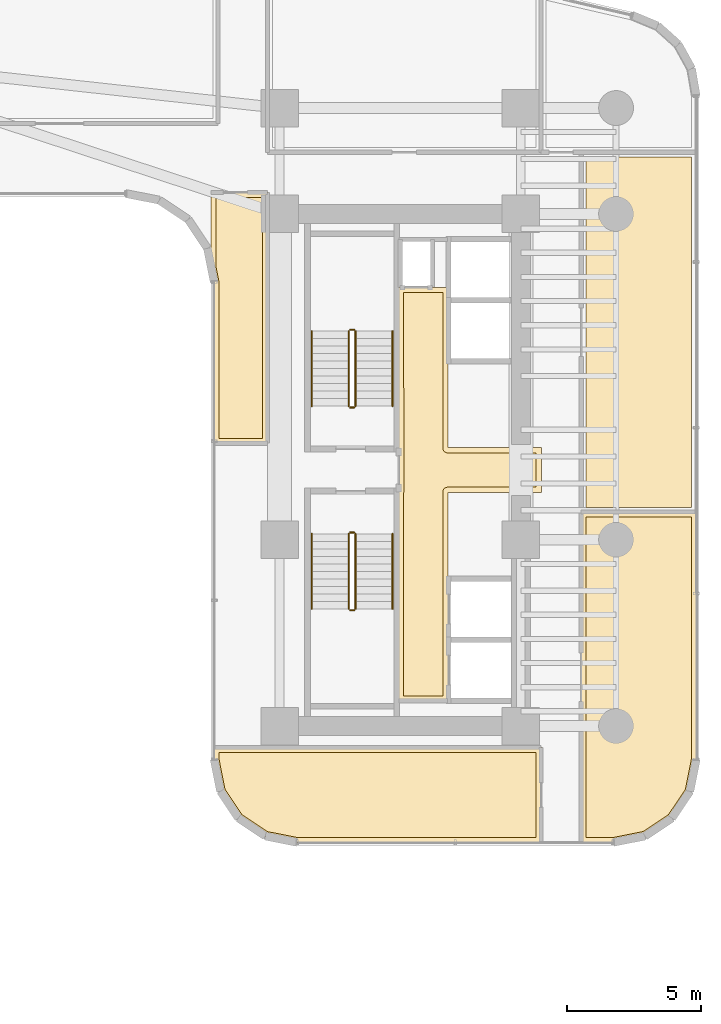
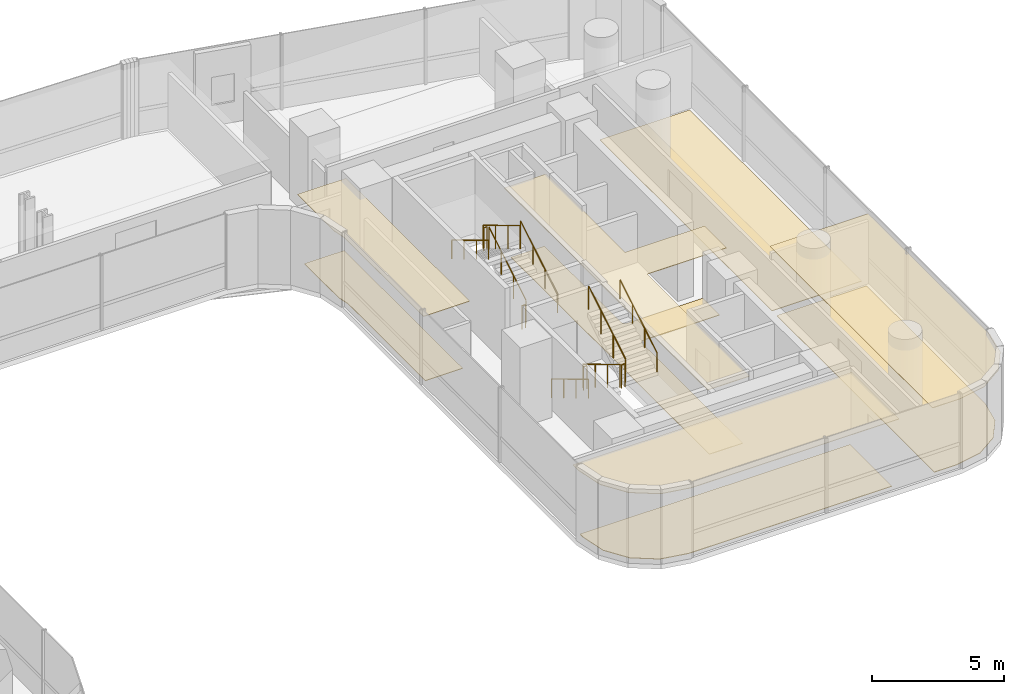
# One storey, part 39 of 40: 12 railings, 9 coverings.
"""IFC4 building model written with IfcOpenShell, lengths in metres."""

from ifc_helpers import new_model, si_unit, direction, frame, origin, origin_2d, place, context, subcontext, project, spatial, polyline, circle, outline, extrude, material, layer, layer_set, type_object, element, save


model = new_model("IFC4")

# Units and contexts
model_context = context("Model", 3, precision=1e-05, world=origin(), true_north=direction((0.0, 1.0)))
body_context = subcontext(model_context, "Body", "Model", "MODEL_VIEW")
ifc_project = project(units=[si_unit("LENGTHUNIT", "METRE"), si_unit("AREAUNIT", "SQUARE_METRE"), si_unit("VOLUMEUNIT", "CUBIC_METRE"), si_unit("PLANEANGLEUNIT", "RADIAN"), si_unit("MASSUNIT", "GRAM", prefix="KILO")], contexts=[model_context])

# Site, building, storey
site_placement = place(None, origin())
site = spatial("IfcSite", under=ifc_project, at=site_placement, CompositionType="ELEMENT")
building_placement = place(site_placement, origin())
building = spatial("IfcBuilding", under=site, at=building_placement, Name="Valdorenza Pilgrim Sanctuary Tower", CompositionType="ELEMENT")
storey_placement = place(building_placement, frame((0.0, 0.0, 48.199951171875)))
storey = spatial("IfcBuildingStorey", under=building, at=storey_placement, Name="L11", CompositionType="ELEMENT", Elevation=48.199951171875)

# Coverings
ifc_material_1 = material(Name="Micro-perforated acoustic mineral ceiling tile", Category="gypsum")
ifc_layer_1 = layer(ifc_material_1, 0.02490234375, Name="Micro-perforated acoustic mineral ceiling tile")
ifc_layer_set_1 = layer_set([ifc_layer_1], Name="Micro-perforated acoustic mineral ceiling tile")
covering_type_1 = type_object("IfcCoveringType", Name="COV-CLG-ACU", PredefinedType="CEILING", material=ifc_layer_set_1)
covering_1_placement = place(storey_placement, frame((0.0, 0.0, 3.16015625)))
element("IfcCovering", 1, at=covering_1_placement, inside=storey, type_object=covering_type_1, Name="L11 Core B Passenger Lift Lobby Acoustic Ceiling", PredefinedType="CEILING", context=body_context, shape_type="SweptSolid", body=[
    extrude(outline(polyline([(20.287109375, -0.814697265625), (20.287109375, 0.814697265625), (20.28662109375, 0.815185546875), (20.2861328125, 0.81640625), (20.28564453125, 0.81787109375), (20.285400390625, 0.819091796875), (20.28515625, 0.820556640625), (20.284912109375, 0.822021484375), (20.284912109375, 6.800048828125), (20.28515625, 6.801513671875), (20.285400390625, 6.802978515625), (20.28564453125, 6.804443359375), (20.2861328125, 6.8056640625), (20.286865234375, 6.80712890625), (20.28759765625, 6.808349609375), (20.288330078125, 6.8095703125), (20.289306640625, 6.810546875), (20.29052734375, 6.8115234375), (20.291748046875, 6.8125), (20.29296875, 6.813232421875), (20.294189453125, 6.81396484375), (20.295654296875, 6.814453125), (20.297119140625, 6.814697265625), (20.298583984375, 6.81494140625), (20.300048828125, 6.81494140625), (20.347900390625, 6.81494140625), (20.349365234375, 6.81494140625), (20.350830078125, 6.814697265625), (20.352294921875, 6.814453125), (20.353515625, 6.81396484375), (20.35498046875, 6.813232421875), (20.35546875, 6.81298828125), (21.544677734375, 6.81298828125), (21.545166015625, 6.813232421875), (21.54638671875, 6.81396484375), (21.5478515625, 6.814453125), (21.54931640625, 6.814697265625), (21.550537109375, 6.81494140625), (21.552001953125, 6.81494140625), (22.1201171875, 6.81494140625), (22.12158203125, 6.81494140625), (22.122802734375, 6.814697265625), (22.12451171875, 6.814453125), (22.125732421875, 6.81396484375), (22.127197265625, 6.813232421875), (22.12841796875, 6.8125), (22.12939453125, 6.8115234375), (22.130615234375, 6.810546875), (22.131591796875, 6.8095703125), (22.132568359375, 6.808349609375), (22.13330078125, 6.80712890625), (22.1337890625, 6.8056640625), (22.134521484375, 6.804443359375), (22.134765625, 6.802978515625), (22.135009765625, 6.801513671875), (22.135009765625, 6.800048828125), (22.135009765625, 0.8349609375), (25.60009765625, 0.8349609375), (25.6015625, 0.8349609375), (25.602783203125, 0.834716796875), (25.6044921875, 0.83447265625), (25.605712890625, 0.833984375), (25.607177734375, 0.833251953125), (25.6083984375, 0.83251953125), (25.609619140625, 0.83154296875), (25.610595703125, 0.83056640625), (25.611572265625, 0.82958984375), (25.612548828125, 0.828369140625), (25.61328125, 0.8271484375), (25.614013671875, 0.82568359375), (25.614501953125, 0.824462890625), (25.61474609375, 0.822998046875), (25.614990234375, 0.821533203125), (25.614990234375, 0.820068359375), (25.614990234375, -0.820068359375), (25.614990234375, -0.821533203125), (25.61474609375, -0.822998046875), (25.614501953125, -0.824462890625), (25.614013671875, -0.82568359375), (25.61328125, -0.8271484375), (25.612548828125, -0.828369140625), (25.611572265625, -0.82958984375), (25.610595703125, -0.83056640625), (25.609619140625, -0.83154296875), (25.6083984375, -0.83251953125), (25.607177734375, -0.833251953125), (25.605712890625, -0.833984375), (25.6044921875, -0.83447265625), (25.602783203125, -0.834716796875), (25.6015625, -0.8349609375), (25.60009765625, -0.8349609375), (22.135009765625, -0.8349609375), (22.135009765625, -8.60009765625), (22.135009765625, -8.6015625), (22.134765625, -8.602783203125), (22.134521484375, -8.6044921875), (22.1337890625, -8.605712890625), (22.13330078125, -8.607177734375), (22.132568359375, -8.6083984375), (22.131591796875, -8.609619140625), (22.130615234375, -8.610595703125), (22.12939453125, -8.611572265625), (22.12841796875, -8.612548828125), (22.127197265625, -8.61328125), (22.125732421875, -8.614013671875), (22.12451171875, -8.614501953125), (22.122802734375, -8.61474609375), (22.12158203125, -8.614990234375), (22.1201171875, -8.614990234375), (20.300048828125, -8.614990234375), (20.298583984375, -8.614990234375), (20.297119140625, -8.61474609375), (20.295654296875, -8.614501953125), (20.294189453125, -8.614013671875), (20.29296875, -8.61328125), (20.291748046875, -8.612548828125), (20.29052734375, -8.611572265625), (20.289306640625, -8.610595703125), (20.288330078125, -8.609619140625), (20.28759765625, -8.6083984375), (20.286865234375, -8.607177734375), (20.2861328125, -8.605712890625), (20.28564453125, -8.6044921875), (20.285400390625, -8.602783203125), (20.28515625, -8.6015625), (20.284912109375, -8.60009765625), (20.284912109375, -0.822021484375), (20.28515625, -0.820556640625), (20.285400390625, -0.819091796875), (20.28564453125, -0.81787109375), (20.2861328125, -0.81640625), (20.28662109375, -0.815185546875), (20.287109375, -0.814697265625)])), origin(), (0.0, 0.0, 1.0), 0.02490234375),
])
covering_2_placement = place(storey_placement, frame((0.0, 0.0, 3.16015625)))
element("IfcCovering", 2, at=covering_2_placement, inside=storey, type_object=covering_type_1, Name="L11 Theological Reference Library L11-BS Acoustic Ceiling", PredefinedType="CEILING", context=body_context, shape_type="SweptSolid", body=[
    extrude(outline(polyline([(25.614990234375, -13.889892578125), (25.614990234375, -13.8916015625), (25.61474609375, -13.892822265625), (25.614501953125, -13.894287109375), (25.614013671875, -13.895751953125), (25.61328125, -13.897216796875), (25.612548828125, -13.898193359375), (25.611572265625, -13.8994140625), (25.610595703125, -13.900634765625), (25.609619140625, -13.901611328125), (25.6083984375, -13.902587890625), (25.607177734375, -13.9033203125), (25.605712890625, -13.90380859375), (25.6044921875, -13.904296875), (25.602783203125, -13.90478515625), (25.6015625, -13.90478515625), (25.60009765625, -13.905029296875), (16.5107421875, -13.905029296875), (16.509521484375, -13.90478515625), (16.5078125, -13.90478515625), (15.3154296875, -13.66748046875), (15.31396484375, -13.6669921875), (15.3125, -13.66650390625), (15.311279296875, -13.666015625), (15.31005859375, -13.665283203125), (14.308349609375, -12.995849609375), (14.30712890625, -12.9951171875), (14.305908203125, -12.993896484375), (14.304931640625, -12.992919921875), (14.30419921875, -12.99169921875), (13.634765625, -11.989990234375), (13.634033203125, -11.98876953125), (13.63330078125, -11.9873046875), (13.6328125, -11.986083984375), (13.632568359375, -11.984619140625), (13.395263671875, -10.7919921875), (13.39501953125, -10.79052734375), (13.39501953125, -10.789306640625), (13.39501953125, -10.35009765625), (13.39501953125, -10.348388671875), (13.395263671875, -10.34716796875), (13.3955078125, -10.345703125), (13.39599609375, -10.34423828125), (13.396728515625, -10.343017578125), (13.3974609375, -10.341796875), (13.3984375, -10.340576171875), (13.3994140625, -10.33935546875), (13.400390625, -10.33837890625), (13.401611328125, -10.33740234375), (13.40283203125, -10.3369140625), (13.404296875, -10.336181640625), (13.405517578125, -10.335693359375), (13.406982421875, -10.335205078125), (13.408447265625, -10.335205078125), (13.409912109375, -10.3349609375), (25.60009765625, -10.3349609375), (25.6015625, -10.335205078125), (25.602783203125, -10.335205078125), (25.6044921875, -10.335693359375), (25.605712890625, -10.336181640625), (25.607177734375, -10.3369140625), (25.6083984375, -10.33740234375), (25.609619140625, -10.33837890625), (25.610595703125, -10.33935546875), (25.611572265625, -10.340576171875), (25.612548828125, -10.341796875), (25.61328125, -10.343017578125), (25.614013671875, -10.34423828125), (25.614501953125, -10.345703125), (25.61474609375, -10.34716796875), (25.614990234375, -10.348388671875), (25.614990234375, -10.35009765625), (25.614990234375, -13.889892578125)])), origin(), (0.0, 0.0, 1.0), 0.02490234375),
])
covering_3_placement = place(storey_placement, frame((0.0, 0.0, 3.16015625)))
element("IfcCovering", 3, at=covering_3_placement, inside=storey, type_object=covering_type_1, Name="L11 Sacred Art Exhibition Gallery L11-EB1 Acoustic Ceiling", PredefinedType="CEILING", context=body_context, shape_type="SweptSolid", body=[
    extrude(outline(polyline([(31.389892578125, -1.56005859375), (31.3916015625, -1.56005859375), (31.392822265625, -1.560302734375), (31.394287109375, -1.560546875), (31.395751953125, -1.56103515625), (31.397216796875, -1.561767578125), (31.398193359375, -1.5625), (31.3994140625, -1.5634765625), (31.400634765625, -1.564453125), (31.401611328125, -1.5654296875), (31.402587890625, -1.566650390625), (31.4033203125, -1.56787109375), (31.40380859375, -1.5693359375), (31.404296875, -1.570556640625), (31.40478515625, -1.572021484375), (31.40478515625, -1.573486328125), (31.405029296875, -1.574951171875), (31.405029296875, -10.789306640625), (31.40478515625, -10.79052734375), (31.40478515625, -10.7919921875), (31.16748046875, -11.984619140625), (31.1669921875, -11.986083984375), (31.16650390625, -11.9873046875), (31.166015625, -11.98876953125), (31.165283203125, -11.989990234375), (30.495849609375, -12.99169921875), (30.4951171875, -12.992919921875), (30.493896484375, -12.993896484375), (30.492919921875, -12.9951171875), (30.49169921875, -12.995849609375), (29.489990234375, -13.665283203125), (29.48876953125, -13.666015625), (29.4873046875, -13.66650390625), (29.486083984375, -13.6669921875), (29.484619140625, -13.66748046875), (28.2919921875, -13.90478515625), (28.29052734375, -13.90478515625), (28.289306640625, -13.905029296875), (27.10009765625, -13.905029296875), (27.098388671875, -13.90478515625), (27.09716796875, -13.90478515625), (27.095703125, -13.904296875), (27.09423828125, -13.90380859375), (27.093017578125, -13.9033203125), (27.091796875, -13.902587890625), (27.090576171875, -13.901611328125), (27.08935546875, -13.900634765625), (27.08837890625, -13.8994140625), (27.08740234375, -13.898193359375), (27.0869140625, -13.897216796875), (27.086181640625, -13.895751953125), (27.085693359375, -13.894287109375), (27.085205078125, -13.892822265625), (27.085205078125, -13.8916015625), (27.0849609375, -13.889892578125), (27.0849609375, -1.574951171875), (27.085205078125, -1.573486328125), (27.085205078125, -1.572021484375), (27.085693359375, -1.570556640625), (27.086181640625, -1.5693359375), (27.0869140625, -1.56787109375), (27.08740234375, -1.566650390625), (27.08837890625, -1.5654296875), (27.08935546875, -1.564453125), (27.090576171875, -1.5634765625), (27.091796875, -1.5625), (27.093017578125, -1.561767578125), (27.09423828125, -1.56103515625), (27.095703125, -1.560546875), (27.09716796875, -1.560302734375), (27.098388671875, -1.56005859375), (27.10009765625, -1.56005859375), (31.389892578125, -1.56005859375)])), origin(), (0.0, 0.0, 1.0), 0.02490234375),
])
covering_4_placement = place(storey_placement, frame((0.0, 0.0, 3.16015625)))
element("IfcCovering", 4, at=covering_4_placement, inside=storey, type_object=covering_type_1, Name="L11 Courtyard Overlook Salon L11 Acoustic Ceiling", PredefinedType="CEILING", context=body_context, shape_type="SweptSolid", body=[
    extrude(outline(polyline([(15.39990234375, 10.364990234375), (15.401611328125, 10.364990234375), (15.40283203125, 10.36474609375), (15.404296875, 10.364501953125), (15.40576171875, 10.364013671875), (15.406982421875, 10.36328125), (15.408203125, 10.362548828125), (15.409423828125, 10.361572265625), (15.41064453125, 10.360595703125), (15.41162109375, 10.359619140625), (15.41259765625, 10.3583984375), (15.4130859375, 10.357177734375), (15.413818359375, 10.355712890625), (15.414306640625, 10.3544921875), (15.414794921875, 10.352783203125), (15.414794921875, 10.3515625), (15.4150390625, 10.35009765625), (15.4150390625, 1.0), (15.414794921875, 0.99853515625), (15.414794921875, 0.9970703125), (15.414306640625, 0.99560546875), (15.413818359375, 0.994384765625), (15.4130859375, 0.992919921875), (15.41259765625, 0.99169921875), (15.41162109375, 0.990478515625), (15.41064453125, 0.989501953125), (15.409423828125, 0.98828125), (15.408203125, 0.987548828125), (15.406982421875, 0.98681640625), (15.40576171875, 0.986083984375), (15.404296875, 0.985595703125), (15.40283203125, 0.9853515625), (15.401611328125, 0.985107421875), (15.39990234375, 0.985107421875), (13.409912109375, 0.985107421875), (13.408447265625, 0.985107421875), (13.406982421875, 0.9853515625), (13.405517578125, 0.985595703125), (13.404296875, 0.986083984375), (13.40283203125, 0.98681640625), (13.401611328125, 0.987548828125), (13.400390625, 0.98828125), (13.3994140625, 0.989501953125), (13.3984375, 0.990478515625), (13.3974609375, 0.99169921875), (13.396728515625, 0.992919921875), (13.39599609375, 0.994384765625), (13.3955078125, 0.99560546875), (13.395263671875, 0.9970703125), (13.39501953125, 0.99853515625), (13.39501953125, 1.0), (13.39501953125, 6.99951171875), (13.39453125, 7.00927734375), (13.39306640625, 7.018798828125), (13.285400390625, 7.560791015625), (13.28515625, 7.562255859375), (13.284912109375, 7.563720703125), (13.284912109375, 10.35009765625), (13.28515625, 10.3515625), (13.285400390625, 10.352783203125), (13.28564453125, 10.3544921875), (13.2861328125, 10.355712890625), (13.286865234375, 10.357177734375), (13.28759765625, 10.3583984375), (13.288330078125, 10.359619140625), (13.289306640625, 10.360595703125), (13.29052734375, 10.361572265625), (13.291748046875, 10.362548828125), (13.29296875, 10.36328125), (13.294189453125, 10.364013671875), (13.295654296875, 10.364501953125), (13.297119140625, 10.36474609375), (13.298583984375, 10.364990234375), (13.300048828125, 10.364990234375), (15.39990234375, 10.364990234375)])), origin(), (0.0, 0.0, 1.0), 0.02490234375),
])
ifc_material_2 = material(Name="Honed travertine stone flooring", Category="masonry")
ifc_layer_2 = layer(ifc_material_2, 0.030029296875, Name="Honed travertine stone flooring")
ifc_layer_set_2 = layer_set([ifc_layer_2], Name="Honed travertine stone flooring")
covering_type_2 = type_object("IfcCoveringType", Name="COV-FLR-TRV", PredefinedType="FLOORING", material=ifc_layer_set_2)
covering_5_placement = place(storey_placement, origin())
element("IfcCovering", 5, at=covering_5_placement, inside=storey, type_object=covering_type_2, Name="L11 Core B Passenger Lift Lobby Flooring", PredefinedType="FLOORING", context=body_context, shape_type="SweptSolid", body=[
    extrude(outline(polyline([(20.47998046875, 6.617919921875), (21.550048828125, 6.617919921875), (21.550537109375, 6.617919921875), (21.93994140625, 6.619384765625), (21.93994140625, 0.820068359375), (21.94091796875, 0.802490234375), (21.943603515625, 0.784912109375), (21.94775390625, 0.767578125), (21.95361328125, 0.751220703125), (21.961181640625, 0.735107421875), (21.97021484375, 0.719970703125), (21.98095703125, 0.705810546875), (21.99267578125, 0.692626953125), (22.005859375, 0.680908203125), (22.02001953125, 0.67041015625), (22.03515625, 0.661376953125), (22.051025390625, 0.65380859375), (22.067626953125, 0.647705078125), (22.0849609375, 0.6435546875), (22.102294921875, 0.640869140625), (22.1201171875, 0.639892578125), (25.419921875, 0.639892578125), (25.419921875, -0.639892578125), (22.1201171875, -0.639892578125), (22.102294921875, -0.640869140625), (22.0849609375, -0.6435546875), (22.067626953125, -0.647705078125), (22.051025390625, -0.65380859375), (22.03515625, -0.661376953125), (22.02001953125, -0.67041015625), (22.005859375, -0.680908203125), (21.99267578125, -0.692626953125), (21.98095703125, -0.705810546875), (21.97021484375, -0.719970703125), (21.961181640625, -0.735107421875), (21.95361328125, -0.751220703125), (21.94775390625, -0.767578125), (21.943603515625, -0.784912109375), (21.94091796875, -0.802490234375), (21.93994140625, -0.820068359375), (21.93994140625, -8.419921875), (20.47998046875, -8.419921875), (20.47998046875, -0.846923828125), (20.47998046875, -0.8466796875), (20.47998046875, -0.8466796875), (20.481689453125, -0.8291015625), (20.481689453125, -0.828857421875), (20.48193359375, -0.820068359375), (20.48193359375, 0.820068359375), (20.47998046875, 6.617919921875)])), origin(), (0.0, 0.0, 1.0), 0.025146484375),
])
covering_6_placement = place(storey_placement, origin())
element("IfcCovering", 6, at=covering_6_placement, inside=storey, type_object=covering_type_2, Name="L11 Theological Reference Library L11-BS Flooring", PredefinedType="FLOORING", context=body_context, shape_type="SweptSolid", body=[
    extrude(outline(polyline([(25.419921875, -13.7099609375), (16.528564453125, -13.7099609375), (15.388671875, -13.483154296875), (14.4462890625, -12.853515625), (13.81689453125, -11.911376953125), (13.590087890625, -10.771484375), (13.590087890625, -10.530029296875), (25.419921875, -10.530029296875), (25.419921875, -13.7099609375)])), origin(), (0.0, 0.0, 1.0), 0.025146484375),
])
covering_7_placement = place(storey_placement, origin())
element("IfcCovering", 7, at=covering_7_placement, inside=storey, type_object=covering_type_2, Name="L11 Sacred Art Exhibition Gallery L11-EB1 Flooring", PredefinedType="FLOORING", context=body_context, shape_type="SweptSolid", body=[
    extrude(outline(polyline([(31.2099609375, -1.7548828125), (31.2099609375, -10.771484375), (30.983154296875, -11.911376953125), (30.353515625, -12.853515625), (29.411376953125, -13.483154296875), (28.271484375, -13.7099609375), (27.280029296875, -13.7099609375), (27.280029296875, -1.7548828125), (31.2099609375, -1.7548828125)])), origin(), (0.0, 0.0, 1.0), 0.025146484375),
])
covering_8_placement = place(storey_placement, origin())
element("IfcCovering", 8, at=covering_8_placement, inside=storey, type_object=covering_type_2, Name="L11 Sacred Art Exhibition Gallery L11-EB2 Flooring", PredefinedType="FLOORING", context=body_context, shape_type="SweptSolid", body=[
    extrude(outline(polyline([(27.280029296875, 11.66796875), (31.2099609375, 11.66796875), (31.2099609375, -1.39306640625), (27.280029296875, -1.39306640625), (27.280029296875, 11.66796875)])), origin(), (0.0, 0.0, 1.0), 0.025146484375),
])
covering_9_placement = place(storey_placement, origin())
element("IfcCovering", 9, at=covering_9_placement, inside=storey, type_object=covering_type_2, Name="L11 Courtyard Overlook Salon L11 Flooring", PredefinedType="FLOORING", context=body_context, shape_type="SweptSolid", body=[
    extrude(outline(polyline([(15.219970703125, 10.169921875), (15.219970703125, 1.179931640625), (13.590087890625, 1.179931640625), (13.590087890625, 7.0), (13.58984375, 7.0087890625), (13.58935546875, 7.01953125), (13.58740234375, 7.037109375), (13.5859375, 7.0478515625), (13.58447265625, 7.056640625), (13.47998046875, 7.58154296875), (13.47998046875, 10.169921875), (15.219970703125, 10.169921875)])), origin(), (0.0, 0.0, 1.0), 0.025146484375),
])

# Railings
ifc_material_3 = material(Name="Stainless steel Grade 316", Category="steel")
railing_type_1 = type_object("IfcRailingType", Name="RLG-GRD-1120", PredefinedType="GUARDRAIL", material=ifc_material_3)
railing_1_placement = place(storey_placement, frame((18.679931640625, 2.3798828125, 0.168212890625)))
element("IfcRailing", 10, at=railing_1_placement, inside=storey, type_object=railing_type_1, Name="L11 ST-B1 stair guard 1", PredefinedType="GUARDRAIL", context=body_context, shape_type="SweptSolid", body=[
    extrude(circle(Radius=0.02392578125, at=origin_2d()), frame((0.0, 0.0, 1.076171875), z_axis=(0.0, 0.857242210791, 0.514913383045), x_axis=(-1.0, 0.0, 0.0)), (0.0, 0.0, 1.0), 3.266357421875),
    extrude(circle(Radius=0.02099609375, at=origin_2d()), origin(), (0.0, 0.0, 1.0), 1.052001953125),
    extrude(circle(Radius=0.02099609375, at=origin_2d()), frame((0.0, 0.933349609375, 0.560546875)), (0.0, 0.0, 1.0), 1.052001953125),
    extrude(circle(Radius=0.02099609375, at=origin_2d()), frame((0.0, 1.86669921875, 1.121337890625)), (0.0, 0.0, 1.0), 1.052001953125),
    extrude(circle(Radius=0.02099609375, at=origin_2d()), frame((0.0, 2.800048828125, 1.681884765625)), (0.0, 0.0, 1.0), 1.052001953125),
])
railing_2_placement = place(storey_placement, frame((18.6298828125, 5.22998046875, 1.85009765625)))
element("IfcRailing", 11, at=railing_2_placement, inside=storey, type_object=railing_type_1, Name="L11 ST-B1 stair guard 2", PredefinedType="GUARDRAIL", context=body_context, shape_type="SweptSolid", body=[
    extrude(circle(Radius=0.02392578125, at=origin_2d()), frame((0.0, 0.0, 1.076171875), z_axis=(-1.0, 0.0, 0.0), x_axis=(0.0, -1.0, 0.0)), (0.0, 0.0, 1.0), 0.14990234375),
    extrude(circle(Radius=0.02099609375, at=origin_2d()), origin(), (0.0, 0.0, 1.0), 1.052001953125),
    extrude(circle(Radius=0.02099609375, at=origin_2d()), frame((-0.14990234375, 0.0, 0.0)), (0.0, 0.0, 1.0), 1.052001953125),
])
railing_3_placement = place(storey_placement, frame((18.429931640625, 5.179931640625, 2.018310546875)))
element("IfcRailing", 12, at=railing_3_placement, inside=storey, type_object=railing_type_1, Name="L11 ST-B1 stair guard 3", PredefinedType="GUARDRAIL", context=body_context, shape_type="SweptSolid", body=[
    extrude(circle(Radius=0.02392578125, at=origin_2d()), frame((0.0, 0.0, 1.076171875), z_axis=(0.0, -0.857275202839, 0.514858452973), x_axis=(1.0, 0.0, 0.0)), (0.0, 0.0, 1.0), 3.26611328125),
    extrude(circle(Radius=0.02099609375, at=origin_2d()), origin(), (0.0, 0.0, 1.0), 1.052001953125),
    extrude(circle(Radius=0.02099609375, at=origin_2d()), frame((0.0, -0.933349609375, 0.560546875)), (0.0, 0.0, 1.0), 1.052001953125),
    extrude(circle(Radius=0.02099609375, at=origin_2d()), frame((0.0, -1.86669921875, 1.12109375)), (0.0, 0.0, 1.0), 1.052001953125),
    extrude(circle(Radius=0.02099609375, at=origin_2d()), frame((0.0, -2.800048828125, 1.681640625)), (0.0, 0.0, 1.0), 1.052001953125),
])
railing_4_placement = place(storey_placement, frame((18.6298828125, 2.330078125, 0.0)))
element("IfcRailing", 13, at=railing_4_placement, inside=storey, type_object=railing_type_1, Name="L11 ST-B1 stair guard 4", PredefinedType="GUARDRAIL", context=body_context, shape_type="SweptSolid", body=[
    extrude(circle(Radius=0.02392578125, at=origin_2d()), frame((0.0, 0.0, 1.076171875), z_axis=(-1.0, 0.0, 0.0), x_axis=(0.0, -1.0, 0.0)), (0.0, 0.0, 1.0), 0.14990234375),
    extrude(circle(Radius=0.02099609375, at=origin_2d()), origin(), (0.0, 0.0, 1.0), 1.052001953125),
    extrude(circle(Radius=0.02099609375, at=origin_2d()), frame((-0.14990234375, 0.0, 0.0)), (0.0, 0.0, 1.0), 1.052001953125),
])
railing_5_placement = place(storey_placement, frame((18.429931640625, -2.3798828125, 0.168212890625)))
element("IfcRailing", 14, at=railing_5_placement, inside=storey, type_object=railing_type_1, Name="L11 ST-B2 stair guard 1", PredefinedType="GUARDRAIL", context=body_context, shape_type="SweptSolid", body=[
    extrude(circle(Radius=0.02392578125, at=origin_2d()), frame((0.0, 0.0, 1.076171875), z_axis=(0.0, -0.857242210791, 0.514913383045), x_axis=(1.0, 0.0, 0.0)), (0.0, 0.0, 1.0), 3.266357421875),
    extrude(circle(Radius=0.02099609375, at=origin_2d()), origin(), (0.0, 0.0, 1.0), 1.052001953125),
    extrude(circle(Radius=0.02099609375, at=origin_2d()), frame((0.0, -0.933349609375, 0.560546875)), (0.0, 0.0, 1.0), 1.052001953125),
    extrude(circle(Radius=0.02099609375, at=origin_2d()), frame((0.0, -1.86669921875, 1.121337890625)), (0.0, 0.0, 1.0), 1.052001953125),
    extrude(circle(Radius=0.02099609375, at=origin_2d()), frame((0.0, -2.800048828125, 1.681884765625)), (0.0, 0.0, 1.0), 1.052001953125),
])
railing_6_placement = place(storey_placement, frame((18.47998046875, -5.22998046875, 1.85009765625)))
element("IfcRailing", 15, at=railing_6_placement, inside=storey, type_object=railing_type_1, Name="L11 ST-B2 stair guard 2", PredefinedType="GUARDRAIL", context=body_context, shape_type="SweptSolid", body=[
    extrude(circle(Radius=0.02392578125, at=origin_2d()), frame((0.0, 0.0, 1.076171875), z_axis=(1.0, 0.0, 0.0), x_axis=(0.0, 1.0, 0.0)), (0.0, 0.0, 1.0), 0.14990234375),
    extrude(circle(Radius=0.02099609375, at=origin_2d()), origin(), (0.0, 0.0, 1.0), 1.052001953125),
    extrude(circle(Radius=0.02099609375, at=origin_2d()), frame((0.14990234375, 0.0, 0.0)), (0.0, 0.0, 1.0), 1.052001953125),
])
railing_7_placement = place(storey_placement, frame((18.679931640625, -5.179931640625, 2.018310546875)))
element("IfcRailing", 16, at=railing_7_placement, inside=storey, type_object=railing_type_1, Name="L11 ST-B2 stair guard 3", PredefinedType="GUARDRAIL", context=body_context, shape_type="SweptSolid", body=[
    extrude(circle(Radius=0.02392578125, at=origin_2d()), frame((0.0, 0.0, 1.076171875), z_axis=(0.0, 0.857275202839, 0.514858452973), x_axis=(-1.0, 0.0, 0.0)), (0.0, 0.0, 1.0), 3.26611328125),
    extrude(circle(Radius=0.02099609375, at=origin_2d()), origin(), (0.0, 0.0, 1.0), 1.052001953125),
    extrude(circle(Radius=0.02099609375, at=origin_2d()), frame((0.0, 0.933349609375, 0.560546875)), (0.0, 0.0, 1.0), 1.052001953125),
    extrude(circle(Radius=0.02099609375, at=origin_2d()), frame((0.0, 1.86669921875, 1.12109375)), (0.0, 0.0, 1.0), 1.052001953125),
    extrude(circle(Radius=0.02099609375, at=origin_2d()), frame((0.0, 2.800048828125, 1.681640625)), (0.0, 0.0, 1.0), 1.052001953125),
])
railing_8_placement = place(storey_placement, frame((18.47998046875, -2.330078125, 0.0)))
element("IfcRailing", 17, at=railing_8_placement, inside=storey, type_object=railing_type_1, Name="L11 ST-B2 stair guard 4", PredefinedType="GUARDRAIL", context=body_context, shape_type="SweptSolid", body=[
    extrude(circle(Radius=0.02392578125, at=origin_2d()), frame((0.0, 0.0, 1.076171875), z_axis=(1.0, 0.0, 0.0), x_axis=(0.0, 1.0, 0.0)), (0.0, 0.0, 1.0), 0.14990234375),
    extrude(circle(Radius=0.02099609375, at=origin_2d()), origin(), (0.0, 0.0, 1.0), 1.052001953125),
    extrude(circle(Radius=0.02099609375, at=origin_2d()), frame((0.14990234375, 0.0, 0.0)), (0.0, 0.0, 1.0), 1.052001953125),
])
ifc_material_4 = material(Name="Brushed stainless steel Grade 316", Category="steel")
railing_type_2 = type_object("IfcRailingType", Name="RLG-HND-920", PredefinedType="HANDRAIL", material=ifc_material_4)
railing_9_placement = place(storey_placement, frame((20.06005859375, 2.3798828125, 0.168212890625)))
element("IfcRailing", 18, at=railing_9_placement, inside=storey, type_object=railing_type_2, Name="L11 ST-B1 stair handrail 1", PredefinedType="HANDRAIL", context=body_context, shape_type="SweptSolid", body=[
    extrude(circle(Radius=0.02392578125, at=origin_2d()), frame((0.0, 0.0, 0.8759765625), z_axis=(0.0, 0.857242210791, 0.514913383045), x_axis=(-1.0, 0.0, 0.0)), (0.0, 0.0, 1.0), 3.266357421875),
    extrude(circle(Radius=0.02099609375, at=origin_2d()), origin(), (0.0, 0.0, 1.0), 0.851806640625),
    extrude(circle(Radius=0.02099609375, at=origin_2d()), frame((0.0, 0.933349609375, 0.560546875)), (0.0, 0.0, 1.0), 0.851806640625),
    extrude(circle(Radius=0.02099609375, at=origin_2d()), frame((0.0, 1.86669921875, 1.121337890625)), (0.0, 0.0, 1.0), 0.851806640625),
    extrude(circle(Radius=0.02099609375, at=origin_2d()), frame((0.0, 2.800048828125, 1.681884765625)), (0.0, 0.0, 1.0), 0.851806640625),
])
railing_10_placement = place(storey_placement, frame((17.050048828125, 5.179931640625, 2.018310546875)))
element("IfcRailing", 19, at=railing_10_placement, inside=storey, type_object=railing_type_2, Name="L11 ST-B1 stair handrail 2", PredefinedType="HANDRAIL", context=body_context, shape_type="SweptSolid", body=[
    extrude(circle(Radius=0.02392578125, at=origin_2d()), frame((0.0, 0.0, 0.8759765625), z_axis=(0.0, -0.857275202839, 0.514858452973), x_axis=(1.0, 0.0, 0.0)), (0.0, 0.0, 1.0), 3.26611328125),
    extrude(circle(Radius=0.02099609375, at=origin_2d()), origin(), (0.0, 0.0, 1.0), 0.851806640625),
    extrude(circle(Radius=0.02099609375, at=origin_2d()), frame((0.0, -0.933349609375, 0.560546875)), (0.0, 0.0, 1.0), 0.851806640625),
    extrude(circle(Radius=0.02099609375, at=origin_2d()), frame((0.0, -1.86669921875, 1.12109375)), (0.0, 0.0, 1.0), 0.851806640625),
    extrude(circle(Radius=0.02099609375, at=origin_2d()), frame((0.0, -2.800048828125, 1.681640625)), (0.0, 0.0, 1.0), 0.851806640625),
])
railing_11_placement = place(storey_placement, frame((17.050048828125, -2.3798828125, 0.168212890625)))
element("IfcRailing", 20, at=railing_11_placement, inside=storey, type_object=railing_type_2, Name="L11 ST-B2 stair handrail 1", PredefinedType="HANDRAIL", context=body_context, shape_type="SweptSolid", body=[
    extrude(circle(Radius=0.02392578125, at=origin_2d()), frame((0.0, 0.0, 0.8759765625), z_axis=(0.0, -0.857242210791, 0.514913383045), x_axis=(1.0, 0.0, 0.0)), (0.0, 0.0, 1.0), 3.266357421875),
    extrude(circle(Radius=0.02099609375, at=origin_2d()), origin(), (0.0, 0.0, 1.0), 0.851806640625),
    extrude(circle(Radius=0.02099609375, at=origin_2d()), frame((0.0, -0.933349609375, 0.560546875)), (0.0, 0.0, 1.0), 0.851806640625),
    extrude(circle(Radius=0.02099609375, at=origin_2d()), frame((0.0, -1.86669921875, 1.121337890625)), (0.0, 0.0, 1.0), 0.851806640625),
    extrude(circle(Radius=0.02099609375, at=origin_2d()), frame((0.0, -2.800048828125, 1.681884765625)), (0.0, 0.0, 1.0), 0.851806640625),
])
railing_12_placement = place(storey_placement, frame((20.06005859375, -5.179931640625, 2.018310546875)))
element("IfcRailing", 21, at=railing_12_placement, inside=storey, type_object=railing_type_2, Name="L11 ST-B2 stair handrail 2", PredefinedType="HANDRAIL", context=body_context, shape_type="SweptSolid", body=[
    extrude(circle(Radius=0.02392578125, at=origin_2d()), frame((0.0, 0.0, 0.8759765625), z_axis=(0.0, 0.857275202839, 0.514858452973), x_axis=(-1.0, 0.0, 0.0)), (0.0, 0.0, 1.0), 3.26611328125),
    extrude(circle(Radius=0.02099609375, at=origin_2d()), origin(), (0.0, 0.0, 1.0), 0.851806640625),
    extrude(circle(Radius=0.02099609375, at=origin_2d()), frame((0.0, 0.933349609375, 0.560546875)), (0.0, 0.0, 1.0), 0.851806640625),
    extrude(circle(Radius=0.02099609375, at=origin_2d()), frame((0.0, 1.86669921875, 1.12109375)), (0.0, 0.0, 1.0), 0.851806640625),
    extrude(circle(Radius=0.02099609375, at=origin_2d()), frame((0.0, 2.800048828125, 1.681640625)), (0.0, 0.0, 1.0), 0.851806640625),
])

save(model, "model.ifc")
